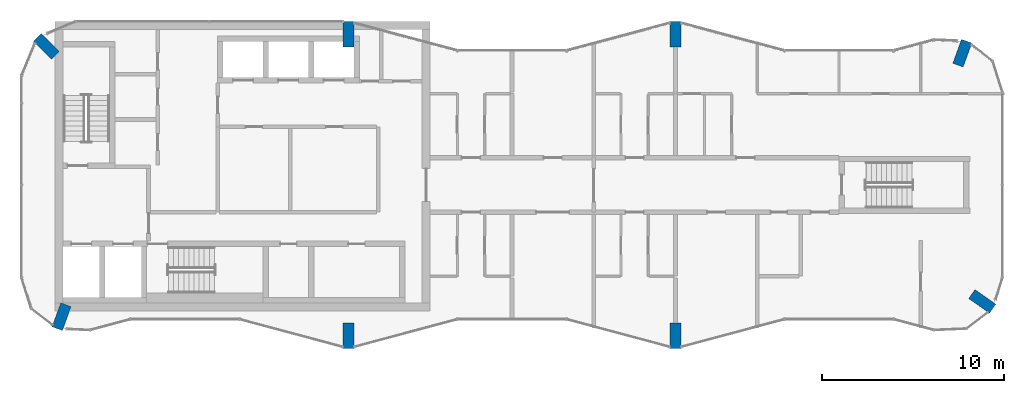
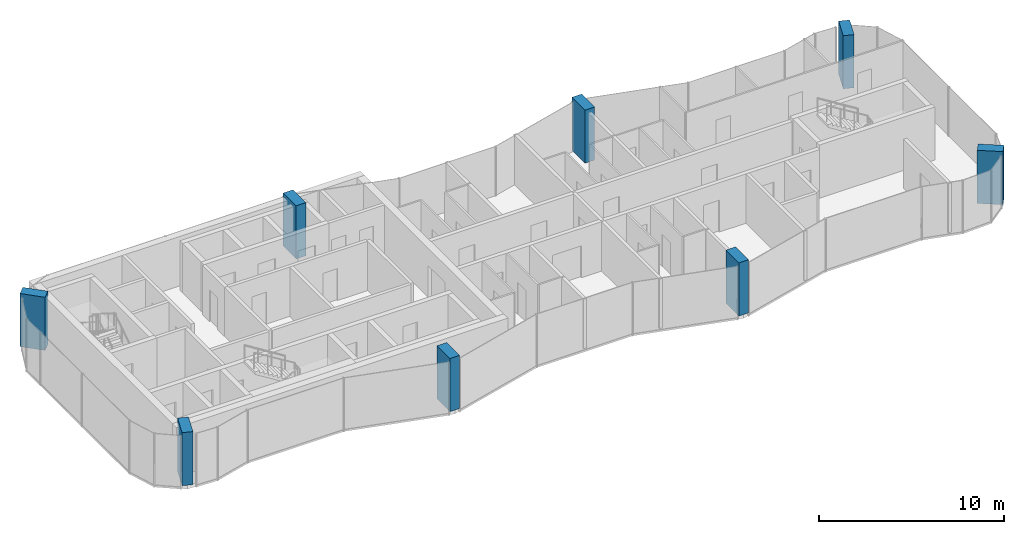
# One storey, part 1 of 10: 8 columns.
"""IFC4 building model written with IfcOpenShell, lengths in metres."""

from ifc_helpers import new_model, si_unit, direction, frame, origin, origin_2d, place, context, subcontext, project, spatial, rectangle, extrude, material, material_profile, profile_set, type_object, element, save


model = new_model("IFC4")

# Units and contexts
model_context = context("Model", 3, precision=1e-05, world=origin(), true_north=direction((0.0, 1.0)))
body_context = subcontext(model_context, "Body", "Model", "MODEL_VIEW")
ifc_project = project(units=[si_unit("LENGTHUNIT", "METRE"), si_unit("AREAUNIT", "SQUARE_METRE"), si_unit("VOLUMEUNIT", "CUBIC_METRE"), si_unit("PLANEANGLEUNIT", "RADIAN"), si_unit("MASSUNIT", "GRAM", prefix="KILO")], contexts=[model_context])

# Site, building, storey
site_placement = place(None, origin())
site = spatial("IfcSite", under=ifc_project, at=site_placement, CompositionType="ELEMENT")
building_placement = place(site_placement, origin())
building = spatial("IfcBuilding", under=site, at=building_placement, Name="Plateau Cross Towers", CompositionType="ELEMENT")
storey_placement = place(building_placement, frame((0.0, 0.0, 259.89990234375)))
storey = spatial("IfcBuildingStorey", under=building, at=storey_placement, Name="L68", CompositionType="ELEMENT", Elevation=259.89990234375)

# Columns
ifc_material = material(Name="Concrete C60/75", Category="concrete")
ifc_material_profile = material_profile(ifc_material, rectangle(XDim=0.60009765625, YDim=1.39990234375, at=origin_2d()), Name="RC 600x1400")
ifc_profile_set = profile_set([ifc_material_profile], Name="Concrete C60/75")
column_type = type_object("IfcColumnType", Name="Fin pier column RC 600x1400", PredefinedType="COLUMN", material=ifc_profile_set)
for number, where, z_axis, x_axis, name in (
    (1, (18.0, 0.699951171875, 0.0), (0.0, 0.0, 1.0), (1.0, 0.0, 0.0), "PR1 L68"),
    (2, (36.0, 0.699951171875, 0.0), (0.0, 0.0, 1.0), (1.0, 0.0, 0.0), "PR2 L68"),
    (3, (52.884033203125, 2.590087890625, 0.0), (0.0, 0.0, 1.0), (0.573542637991, 0.819175709117, 0.0), "PR3 L68"),
    (4, (51.786865234375, 16.251953125, 0.0), (0.0, 0.0, 1.0), (-0.939664280925, 0.342097996418, 0.0), "PR4 L68"),
    (5, (36.0, 17.300048828125, 0.0), (0.0, 0.0, 1.0), (1.0, 0.0, 0.0), "PR5 L68"),
    (6, (18.0, 17.300048828125, 0.0), (0.0, 0.0, 1.0), (1.0, 0.0, 0.0), "PR13 L68"),
    (7, (1.37353515625, 16.62646484375, 0.0), (0.0, 0.0, 1.0), (0.707106781187, 0.707106781187, 0.0), "PR14 L68"),
    (8, (2.213134765625, 1.748046875, 0.0), (0.0, 0.0, 1.0), (-0.939664280925, 0.342097996418, 0.0), "PR12 L68"),
):
    element("IfcColumn", number, at=place(storey_placement, frame(where, z_axis=z_axis, x_axis=x_axis)), inside=storey, type_object=column_type, Name=name, PredefinedType="COLUMN", context=body_context, shape_type="SweptSolid", body=[
        extrude(rectangle(XDim=0.60009765625, YDim=1.39990234375, at=origin_2d()), origin(), (0.0, 0.0, 1.0), 3.5),
    ])

save(model, "model.ifc")
